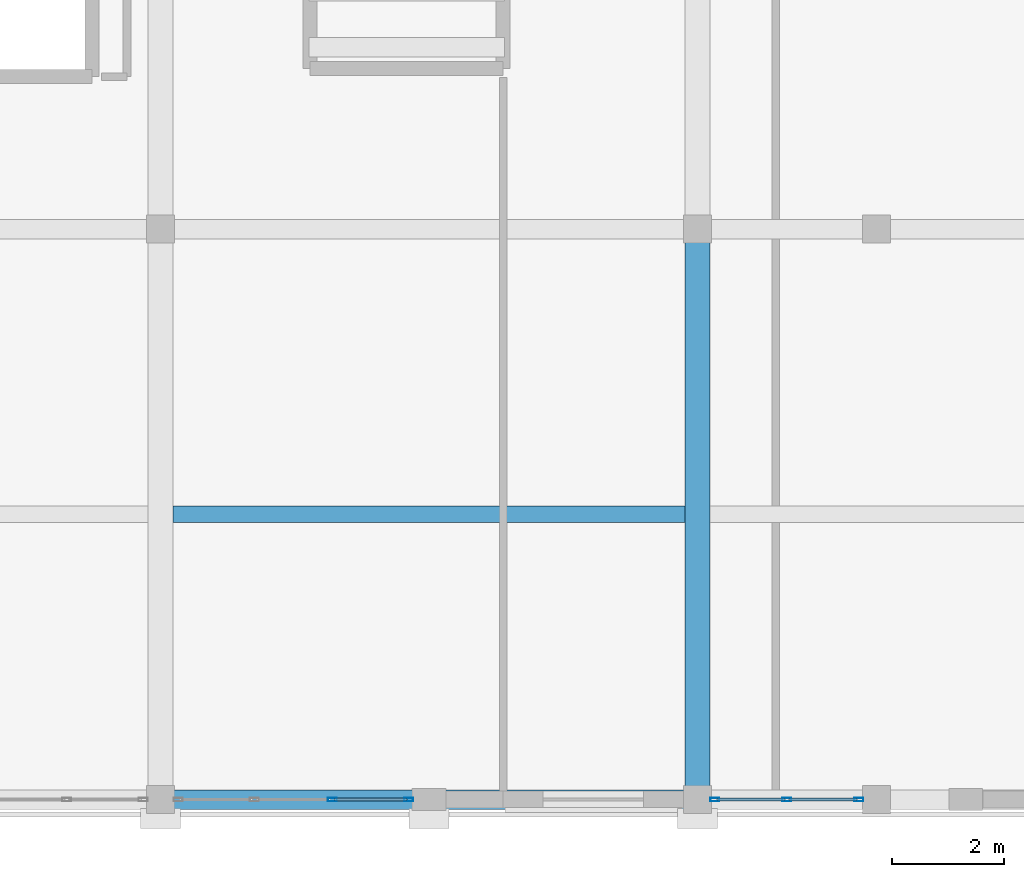
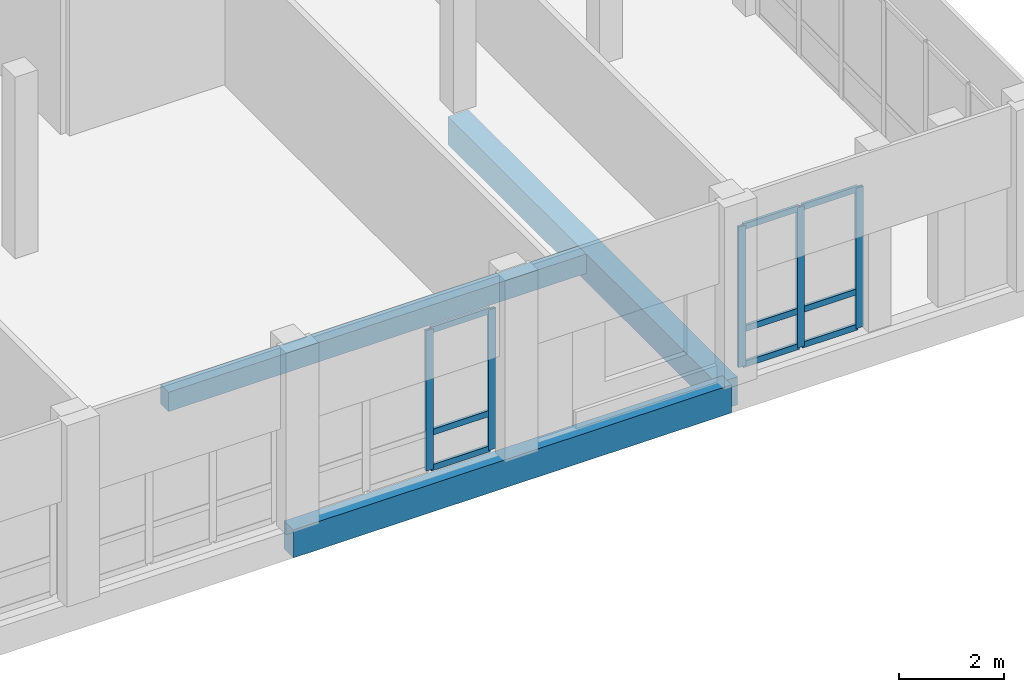
# One storey, part 7 of 29: 14 members, 3 beams, 2 elements without a shape of their own.
"""IFC4 building model written with IfcOpenShell, lengths in metres."""

from ifc_helpers import new_model, si_unit, direction, frame, origin, origin_2d, place, context, subcontext, project, spatial, rectangle, hollow_rectangle, extrude, material, material_profile, profile_set, type_object, element, aggregate, save


model = new_model("IFC4")

# Units and contexts
model_context = context("Model", 3, precision=1e-05, world=origin(), true_north=direction((0.0, 1.0)))
body_context = subcontext(model_context, "Body", "Model", "MODEL_VIEW")
ifc_project = project(units=[si_unit("LENGTHUNIT", "METRE"), si_unit("AREAUNIT", "SQUARE_METRE"), si_unit("VOLUMEUNIT", "CUBIC_METRE"), si_unit("PLANEANGLEUNIT", "RADIAN"), si_unit("MASSUNIT", "GRAM", prefix="KILO")], contexts=[model_context])

# Site, building, storey
site_placement = place(None, origin())
site = spatial("IfcSite", under=ifc_project, at=site_placement, CompositionType="ELEMENT")
building_placement = place(site_placement, origin())
building = spatial("IfcBuilding", under=site, at=building_placement, Name="Vondelvale Polytechnic", CompositionType="ELEMENT")
storey_placement = place(building_placement, frame((0.0, 0.0, 26.39990234375)))
storey = spatial("IfcBuildingStorey", under=building, at=storey_placement, Name="L06", CompositionType="ELEMENT", Elevation=26.39990234375)

# Beam
ifc_material_1 = material(Name="Concrete N40 (f'c = 40 MPa)", Category="concrete")
ifc_material_profile_1 = material_profile(ifc_material_1, rectangle(XDim=0.449951171875, YDim=0.64990234375, at=origin_2d()), Name="RC-BM-450x650")
ifc_profile_set_1 = profile_set([ifc_material_profile_1], Name="Concrete N40 (f'c = 40 MPa)")
beam_type_1 = type_object("IfcBeamType", Name="BM-RC450x650", PredefinedType="BEAM", material=ifc_profile_set_1)
beam_1_placement = place(storey_placement, frame((38.39990234375, 0.0, -0.5498046875), z_axis=(0.0, 1.0, 0.0), x_axis=(-1.0, 0.0, 0.0)))
element("IfcBeam", 1, at=beam_1_placement, inside=storey, type_object=beam_type_1, Name="L06 B B-04", PredefinedType="BEAM", context=body_context, shape_type="SweptSolid", body=[
    extrude(rectangle(XDim=0.449951171875, YDim=0.64990234375, at=origin_2d()), origin(), (0.0, 0.0, 1.0), 10.199951171875),
])

# Curtain wall, members
ifc_material_2 = material(Name="Anodised extruded aluminium 6063-T6", Category="aluminium")
curtain_wall_type = type_object("IfcCurtainWallType", Name="CW-LIBRARY-BAY", PredefinedType="NOTDEFINED", material=ifc_material_2)
curtain_wall_1_placement = place(storey_placement, origin())
curtain_wall_1 = element("IfcCurtainWall", 2, at=curtain_wall_1_placement, inside=storey, type_object=curtain_wall_type, Name="L06 architectural curtain wall CW-02-046", PredefinedType="NOTDEFINED")
ifc_material_profile_2 = material_profile(ifc_material_2, hollow_rectangle(XDim=0.06494140625, YDim=0.159912109375, WallThickness=0.0048828125, at=origin_2d()), Name="CW-MUL-160x65")
ifc_profile_set_2 = profile_set([ifc_material_profile_2], Name="Anodised extruded aluminium 6063-T6")
member_type_1 = type_object("IfcMemberType", Name="CW-MUL-65x160", PredefinedType="MULLION", material=ifc_profile_set_2)
member_1_placement = place(storey_placement, frame((31.873291015625, 0.0, 0.0), z_axis=(0.0, 0.0, 1.0), x_axis=(0.0, 1.0, 0.0)))
member_1 = element("IfcMember", 3, at=member_1_placement, type_object=member_type_1, Name="CW-02-046 mullion 3", PredefinedType="MULLION", context=body_context, shape_type="SweptSolid", body=[
    extrude(hollow_rectangle(XDim=0.06494140625, YDim=0.159912109375, WallThickness=0.0048828125, at=origin_2d()), origin(), (0.0, 0.0, 1.0), 3.25),
])
member_2_placement = place(storey_placement, frame((33.237548828125, 0.0, 0.0), z_axis=(0.0, 0.0, 1.0), x_axis=(0.0, 1.0, 0.0)))
member_2 = element("IfcMember", 4, at=member_2_placement, type_object=member_type_1, Name="CW-02-046 mullion 4", PredefinedType="MULLION", context=body_context, shape_type="SweptSolid", body=[
    extrude(hollow_rectangle(XDim=0.06494140625, YDim=0.159912109375, WallThickness=0.0048828125, at=origin_2d()), origin(), (0.0, 0.0, 1.0), 3.25),
])

curtain_wall_2_placement = place(storey_placement, origin())
curtain_wall_2 = element("IfcCurtainWall", 5, at=curtain_wall_2_placement, inside=storey, type_object=curtain_wall_type, Name="L06 architectural curtain wall CW-02-047", PredefinedType="NOTDEFINED")
member_3_placement = place(storey_placement, frame((38.71240234375, 0.0, 0.0), z_axis=(0.0, 0.0, 1.0), x_axis=(0.0, 1.0, 0.0)))
member_3 = element("IfcMember", 6, at=member_3_placement, type_object=member_type_1, Name="CW-02-047 mullion 1", PredefinedType="MULLION", context=body_context, shape_type="SweptSolid", body=[
    extrude(hollow_rectangle(XDim=0.06494140625, YDim=0.159912109375, WallThickness=0.0048828125, at=origin_2d()), origin(), (0.0, 0.0, 1.0), 3.25),
])
member_4_placement = place(storey_placement, frame((40.0, 0.0, 0.0), z_axis=(0.0, 0.0, 1.0), x_axis=(0.0, 1.0, 0.0)))
member_4 = element("IfcMember", 7, at=member_4_placement, type_object=member_type_1, Name="CW-02-047 mullion 2", PredefinedType="MULLION", context=body_context, shape_type="SweptSolid", body=[
    extrude(hollow_rectangle(XDim=0.06494140625, YDim=0.159912109375, WallThickness=0.0048828125, at=origin_2d()), origin(), (0.0, 0.0, 1.0), 3.25),
])
member_5_placement = place(storey_placement, frame((41.28759765625, 0.0, 0.0), z_axis=(0.0, 0.0, 1.0), x_axis=(0.0, 1.0, 0.0)))
member_5 = element("IfcMember", 8, at=member_5_placement, type_object=member_type_1, Name="CW-02-047 mullion 3", PredefinedType="MULLION", context=body_context, shape_type="SweptSolid", body=[
    extrude(hollow_rectangle(XDim=0.06494140625, YDim=0.159912109375, WallThickness=0.0048828125, at=origin_2d()), origin(), (0.0, 0.0, 1.0), 3.25),
])

# Member
ifc_material_profile_3 = material_profile(ifc_material_2, hollow_rectangle(XDim=0.06005859375, YDim=0.139892578125, WallThickness=0.00341796875, at=origin_2d()), Name="CW-TRN-140x60")
ifc_profile_set_3 = profile_set([ifc_material_profile_3], Name="Anodised extruded aluminium 6063-T6")
member_type_2 = type_object("IfcMemberType", Name="CW-TRN-60x140", PredefinedType="USERDEFINED", material=ifc_profile_set_3)
member_6_placement = place(storey_placement, frame((31.90576171875, 0.0, 0.030029296875), z_axis=(1.0, 0.0, 0.0), x_axis=(0.0, 1.0, 0.0)))
member_6 = element("IfcMember", 9, at=member_6_placement, type_object=member_type_2, Name="CW-02-046 transom 3.1", ObjectType="TRANSOM", PredefinedType="USERDEFINED", context=body_context, shape_type="SweptSolid", body=[
    extrude(hollow_rectangle(XDim=0.06005859375, YDim=0.139892578125, WallThickness=0.00341796875, at=origin_2d()), origin(), (0.0, 0.0, 1.0), 1.29931640625),
])

member_7_placement = place(storey_placement, frame((31.90576171875, 0.0, 0.85009765625), z_axis=(1.0, 0.0, 0.0), x_axis=(0.0, 1.0, 0.0)))
member_7 = element("IfcMember", 10, at=member_7_placement, type_object=member_type_2, Name="CW-02-046 transom 3.2", ObjectType="TRANSOM", PredefinedType="USERDEFINED", context=body_context, shape_type="SweptSolid", body=[
    extrude(hollow_rectangle(XDim=0.06005859375, YDim=0.139892578125, WallThickness=0.00341796875, at=origin_2d()), origin(), (0.0, 0.0, 1.0), 1.29931640625),
])

member_8_placement = place(storey_placement, frame((31.90576171875, 0.0, 3.22021484375), z_axis=(1.0, 0.0, 0.0), x_axis=(0.0, 1.0, 0.0)))
member_8 = element("IfcMember", 11, at=member_8_placement, type_object=member_type_2, Name="CW-02-046 transom 3.3", ObjectType="TRANSOM", PredefinedType="USERDEFINED", context=body_context, shape_type="SweptSolid", body=[
    extrude(hollow_rectangle(XDim=0.06005859375, YDim=0.139892578125, WallThickness=0.00341796875, at=origin_2d()), origin(), (0.0, 0.0, 1.0), 1.29931640625),
])

aggregate(curtain_wall_1, [member_1, member_2, member_6, member_7, member_8])

member_9_placement = place(storey_placement, frame((38.7451171875, 0.0, 0.030029296875), z_axis=(1.0, 0.0, 0.0), x_axis=(0.0, 1.0, 0.0)))
member_9 = element("IfcMember", 12, at=member_9_placement, type_object=member_type_2, Name="CW-02-047 transom 1.1", ObjectType="TRANSOM", PredefinedType="USERDEFINED", context=body_context, shape_type="SweptSolid", body=[
    extrude(hollow_rectangle(XDim=0.06005859375, YDim=0.139892578125, WallThickness=0.00341796875, at=origin_2d()), origin(), (0.0, 0.0, 1.0), 1.222412109375),
])

member_10_placement = place(storey_placement, frame((38.7451171875, 0.0, 0.85009765625), z_axis=(1.0, 0.0, 0.0), x_axis=(0.0, 1.0, 0.0)))
member_10 = element("IfcMember", 13, at=member_10_placement, type_object=member_type_2, Name="CW-02-047 transom 1.2", ObjectType="TRANSOM", PredefinedType="USERDEFINED", context=body_context, shape_type="SweptSolid", body=[
    extrude(hollow_rectangle(XDim=0.06005859375, YDim=0.139892578125, WallThickness=0.00341796875, at=origin_2d()), origin(), (0.0, 0.0, 1.0), 1.222412109375),
])

member_11_placement = place(storey_placement, frame((38.7451171875, 0.0, 3.22021484375), z_axis=(1.0, 0.0, 0.0), x_axis=(0.0, 1.0, 0.0)))
member_11 = element("IfcMember", 14, at=member_11_placement, type_object=member_type_2, Name="CW-02-047 transom 1.3", ObjectType="TRANSOM", PredefinedType="USERDEFINED", context=body_context, shape_type="SweptSolid", body=[
    extrude(hollow_rectangle(XDim=0.06005859375, YDim=0.139892578125, WallThickness=0.00341796875, at=origin_2d()), origin(), (0.0, 0.0, 1.0), 1.222412109375),
])

member_12_placement = place(storey_placement, frame((40.032470703125, 0.0, 0.030029296875), z_axis=(1.0, 0.0, 0.0), x_axis=(0.0, 1.0, 0.0)))
member_12 = element("IfcMember", 15, at=member_12_placement, type_object=member_type_2, Name="CW-02-047 transom 2.1", ObjectType="TRANSOM", PredefinedType="USERDEFINED", context=body_context, shape_type="SweptSolid", body=[
    extrude(hollow_rectangle(XDim=0.06005859375, YDim=0.139892578125, WallThickness=0.00341796875, at=origin_2d()), origin(), (0.0, 0.0, 1.0), 1.222412109375),
])

member_13_placement = place(storey_placement, frame((40.032470703125, 0.0, 0.85009765625), z_axis=(1.0, 0.0, 0.0), x_axis=(0.0, 1.0, 0.0)))
member_13 = element("IfcMember", 16, at=member_13_placement, type_object=member_type_2, Name="CW-02-047 transom 2.2", ObjectType="TRANSOM", PredefinedType="USERDEFINED", context=body_context, shape_type="SweptSolid", body=[
    extrude(hollow_rectangle(XDim=0.06005859375, YDim=0.139892578125, WallThickness=0.00341796875, at=origin_2d()), origin(), (0.0, 0.0, 1.0), 1.222412109375),
])

member_14_placement = place(storey_placement, frame((40.032470703125, 0.0, 3.22021484375), z_axis=(1.0, 0.0, 0.0), x_axis=(0.0, 1.0, 0.0)))
member_14 = element("IfcMember", 17, at=member_14_placement, type_object=member_type_2, Name="CW-02-047 transom 2.3", ObjectType="TRANSOM", PredefinedType="USERDEFINED", context=body_context, shape_type="SweptSolid", body=[
    extrude(hollow_rectangle(XDim=0.06005859375, YDim=0.139892578125, WallThickness=0.00341796875, at=origin_2d()), origin(), (0.0, 0.0, 1.0), 1.222412109375),
])

aggregate(curtain_wall_2, [member_3, member_4, member_5, member_9, member_10, member_11, member_12, member_13, member_14])

# Beams
ifc_material_profile_4 = material_profile(ifc_material_1, rectangle(XDim=0.300048828125, YDim=0.449951171875, at=origin_2d()), Name="RC-JST-300x450")
ifc_profile_set_4 = profile_set([ifc_material_profile_4], Name="Concrete N40 (f'c = 40 MPa)")
beam_type_2 = type_object("IfcBeamType", Name="JST-RC300x450", PredefinedType="JOIST", material=ifc_profile_set_4)
beam_2_placement = place(storey_placement, frame((29.02490234375, 5.10009765625, -0.449951171875), z_axis=(1.0, 0.0, 0.0), x_axis=(0.0, 1.0, 0.0)))
element("IfcBeam", 18, at=beam_2_placement, inside=storey, type_object=beam_type_2, Name="L06 J J-03", PredefinedType="JOIST", context=body_context, shape_type="SweptSolid", body=[
    extrude(rectangle(XDim=0.300048828125, YDim=0.449951171875, at=origin_2d()), origin(), (0.0, 0.0, 1.0), 9.150146484375),
])
ifc_material_3 = material(Name="Precast concrete N40 (f'c = 40 MPa)", Category="concrete")
ifc_material_profile_5 = material_profile(ifc_material_3, rectangle(XDim=0.35009765625, YDim=0.64990234375, at=origin_2d()), Name="RC-SPN-350x650")
ifc_profile_set_5 = profile_set([ifc_material_profile_5], Name="Precast concrete N40 (f'c = 40 MPa)")
beam_type_3 = type_object("IfcBeamType", Name="SPN-PRE350x650", PredefinedType="SPANDREL", material=ifc_profile_set_5)
beam_3_placement = place(storey_placement, frame((28.800048828125, 0.0, -0.5498046875), z_axis=(1.0, 0.0, 0.0), x_axis=(0.0, 1.0, 0.0)))
element("IfcBeam", 19, at=beam_3_placement, inside=storey, type_object=beam_type_3, Name="L06 B SP-02", PredefinedType="SPANDREL", context=body_context, shape_type="SweptSolid", body=[
    extrude(rectangle(XDim=0.35009765625, YDim=0.64990234375, at=origin_2d()), origin(), (0.0, 0.0, 1.0), 9.599853515625),
])

save(model, "model.ifc")
